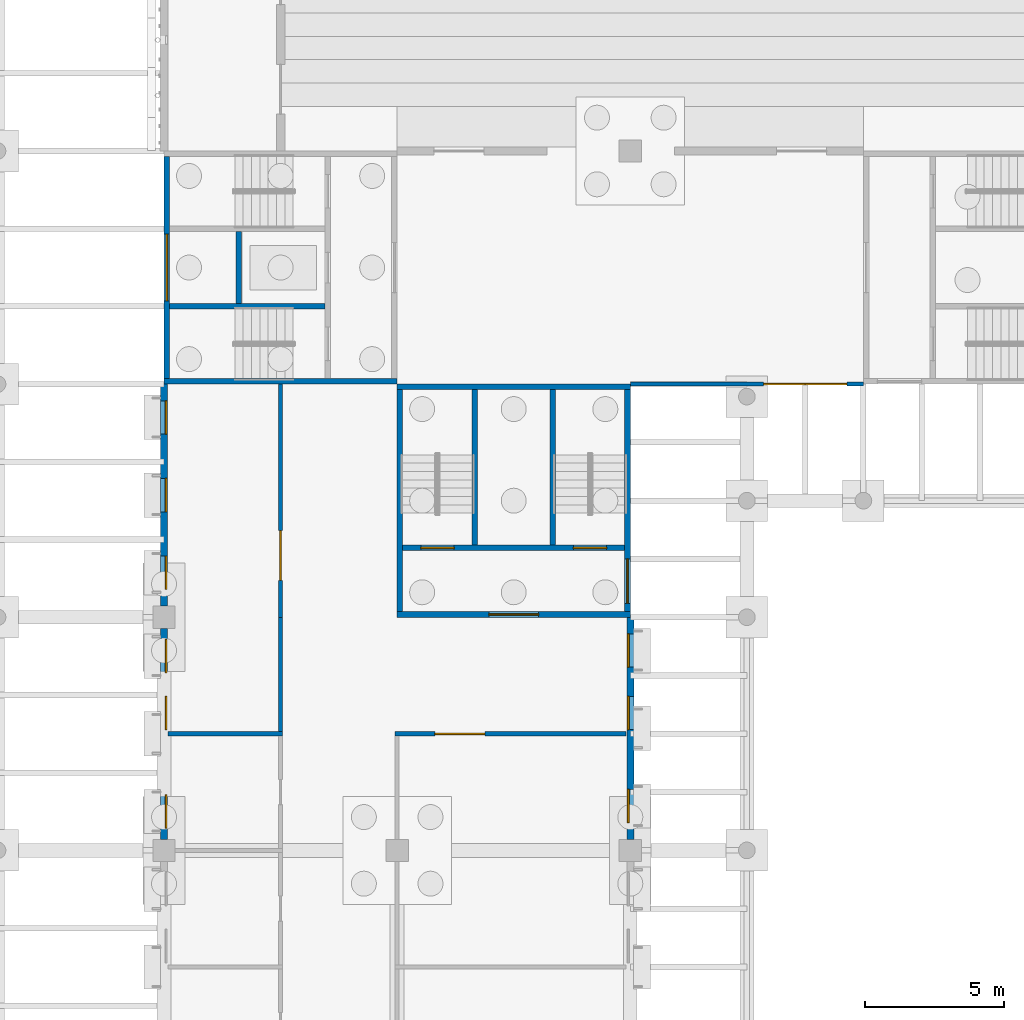
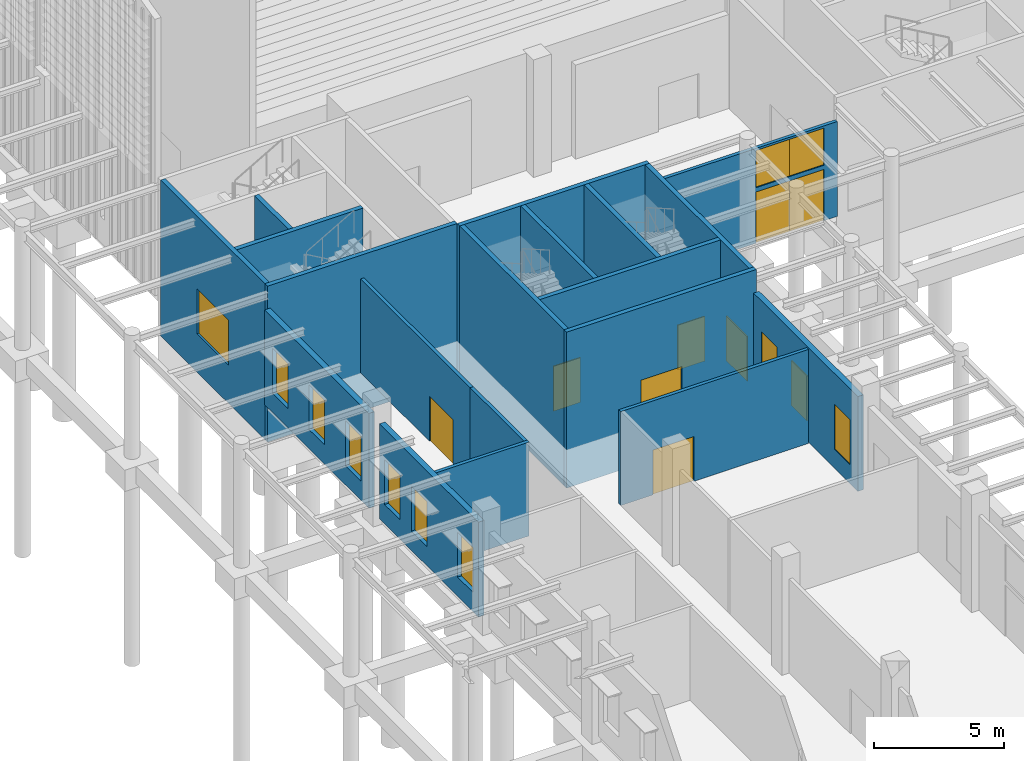
# One storey, part 32 of 82: 19 walls, 11 windows, 9 doors, 20 openings.
"""IFC4 building model written with IfcOpenShell, lengths in metres."""

from ifc_helpers import new_model, si_unit, direction, frame, frame_2d, origin, place, context, subcontext, project, spatial, rectangle, extrude, material, layer, layer_set, type_object, element, fill, save


model = new_model("IFC4")

# Units and contexts
model_context = context("Model", 3, precision=1e-05, world=origin(), true_north=direction((0.0, 1.0)))
body_context = subcontext(model_context, "Body", "Model", "MODEL_VIEW")
ifc_project = project(units=[si_unit("LENGTHUNIT", "METRE"), si_unit("AREAUNIT", "SQUARE_METRE"), si_unit("VOLUMEUNIT", "CUBIC_METRE"), si_unit("PLANEANGLEUNIT", "RADIAN"), si_unit("MASSUNIT", "GRAM", prefix="KILO")], contexts=[model_context])

# Site, building, storey
site_placement = place(None, origin())
site = spatial("IfcSite", under=ifc_project, at=site_placement, CompositionType="ELEMENT")
building_placement = place(site_placement, origin())
building = spatial("IfcBuilding", under=site, at=building_placement, Name="Almond Square Museum", CompositionType="ELEMENT")
storey_placement = place(building_placement, origin())
storey = spatial("IfcBuildingStorey", under=building, at=storey_placement, Name="L00", CompositionType="ELEMENT", Elevation=0.0)

# Wall, openings, windows, doors
ifc_material_1 = material(Name="Aluminium and laminated glass", Category="aluminium")
ifc_layer_1 = layer(ifc_material_1, 0.14990234375)
ifc_layer_set_1 = layer_set([ifc_layer_1], Name="Aluminium and laminated glass")
wall_type_1 = type_object("IfcWallType", Name="Glazed entrance screen 150", PredefinedType="ELEMENTEDWALL", material=ifc_layer_set_1)
wall_1_placement = place(storey_placement, frame((22.800048828125, 75.60009765625, 0.0), z_axis=(0.0, 0.0, 1.0), x_axis=(1.0, 0.0, 0.0)))
wall_1 = element("IfcWall", 1, at=wall_1_placement, inside=storey, type_object=wall_type_1, Name="External wall W6 V3 L00 S01", PredefinedType="ELEMENTEDWALL", context=body_context, shape_type="SweptSolid", body=[
    extrude(rectangle(XDim=8.39990234375, YDim=0.14990234375, at=frame_2d((4.199951171875, 0.0))), origin(), (0.0, 0.0, 1.0), 4.43994140625),
])
opening_1_placement = place(wall_1_placement, frame((4.800048828125, 0.0, 0.0)))
opening_1 = element("IfcOpeningElement", 2, at=opening_1_placement, cuts=wall_1, Name="Opening D006", PredefinedType="OPENING", context=body_context, shape_type="SweptSolid", body=[
    extrude(rectangle(XDim=1.5, YDim=2.39990234375, at=frame_2d((0.75, 1.199951171875))), frame((0.0, 0.0849609375, 0.0), z_axis=(0.0, -1.0, 0.0), x_axis=(1.0, 0.0, 0.0)), (0.0, 0.0, 1.0), 0.169921875),
])
opening_2_placement = place(wall_1_placement, frame((4.800048828125, 0.0, 2.60009765625)))
opening_2 = element("IfcOpeningElement", 3, at=opening_2_placement, cuts=wall_1, Name="Opening W0049", PredefinedType="OPENING", context=body_context, shape_type="SweptSolid", body=[
    extrude(rectangle(XDim=1.5, YDim=1.739990234375, at=frame_2d((0.75, 0.8701171875))), frame((0.0, 0.0849609375, 0.0), z_axis=(0.0, -1.0, 0.0), x_axis=(1.0, 0.0, 0.0)), (0.0, 0.0, 1.0), 0.169921875),
])
opening_3_placement = place(wall_1_placement, frame((6.300048828125, 0.0, 0.0)))
opening_3 = element("IfcOpeningElement", 4, at=opening_3_placement, cuts=wall_1, Name="Opening D007", PredefinedType="OPENING", context=body_context, shape_type="SweptSolid", body=[
    extrude(rectangle(XDim=1.5, YDim=2.39990234375, at=frame_2d((0.75, 1.199951171875))), frame((0.0, 0.0849609375, 0.0), z_axis=(0.0, -1.0, 0.0), x_axis=(1.0, 0.0, 0.0)), (0.0, 0.0, 1.0), 0.169921875),
])
opening_4_placement = place(wall_1_placement, frame((6.300048828125, 0.0, 2.60009765625)))
opening_4 = element("IfcOpeningElement", 5, at=opening_4_placement, cuts=wall_1, Name="Opening W0050", PredefinedType="OPENING", context=body_context, shape_type="SweptSolid", body=[
    extrude(rectangle(XDim=1.5, YDim=1.739990234375, at=frame_2d((0.75, 0.8701171875))), frame((0.0, 0.0849609375, 0.0), z_axis=(0.0, -1.0, 0.0), x_axis=(1.0, 0.0, 0.0)), (0.0, 0.0, 1.0), 0.169921875),
])
ifc_material_2 = material(Name="Aluminium frame and laminated glass", Category="aluminium")
window_type_1 = type_object("IfcWindowType", Name="Entrance fanlight 1500 1740 high", PartitioningType="SINGLE_PANEL", PredefinedType="WINDOW", material=ifc_material_2)
window_1_placement = place(opening_2_placement, origin())
window_1 = element("IfcWindow", 6, at=window_1_placement, inside=storey, type_object=window_type_1, Name="Entrance fanlight 1500 W0049", OverallHeight=1.739990234375, OverallWidth=1.5, PartitioningType="SINGLE_PANEL", PredefinedType="WINDOW", context=body_context, shape_type="SweptSolid", body=[
    extrude(rectangle(XDim=1.5, YDim=1.739990234375, at=frame_2d((0.75, 0.8701171875))), frame((0.0, 0.030029296875, 0.0), z_axis=(0.0, -1.0, 0.0), x_axis=(1.0, 0.0, 0.0)), (0.0, 0.0, 1.0), 0.06005859375),
])
fill(opening_2, window_1)
window_2_placement = place(opening_4_placement, origin())
window_2 = element("IfcWindow", 7, at=window_2_placement, inside=storey, type_object=window_type_1, Name="Entrance fanlight 1500 W0050", OverallHeight=1.739990234375, OverallWidth=1.5, PartitioningType="SINGLE_PANEL", PredefinedType="WINDOW", context=body_context, shape_type="SweptSolid", body=[
    extrude(rectangle(XDim=1.5, YDim=1.739990234375, at=frame_2d((0.75, 0.8701171875))), frame((0.0, 0.030029296875, 0.0), z_axis=(0.0, -1.0, 0.0), x_axis=(1.0, 0.0, 0.0)), (0.0, 0.0, 1.0), 0.06005859375),
])
fill(opening_4, window_2)
ifc_material_3 = material(Name="Aluminium frame and laminated glass", Category="aluminium")
door_type_1 = type_object("IfcDoorType", Name="Glazed entrance door pair 1500 x 2400", OperationType="NOTDEFINED", PredefinedType="DOOR", material=ifc_material_3)
door_1_placement = place(opening_1_placement, origin())
door_1 = element("IfcDoor", 8, at=door_1_placement, inside=storey, type_object=door_type_1, Name="Auditorium Entrance door D006", OperationType="DOUBLE_DOOR_SINGLE_SWING", OverallHeight=2.39990234375, OverallWidth=1.5, PredefinedType="DOOR", context=body_context, shape_type="SweptSolid", body=[
    extrude(rectangle(XDim=1.5, YDim=2.39990234375, at=frame_2d((0.75, 1.199951171875))), frame((0.0, 0.02490234375, 0.0), z_axis=(0.0, -1.0, 0.0), x_axis=(1.0, 0.0, 0.0)), (0.0, 0.0, 1.0), 0.050048828125),
])
fill(opening_1, door_1)
door_2_placement = place(opening_3_placement, origin())
door_2 = element("IfcDoor", 9, at=door_2_placement, inside=storey, type_object=door_type_1, Name="Auditorium Entrance door D007", OperationType="DOUBLE_DOOR_SINGLE_SWING", OverallHeight=2.39990234375, OverallWidth=1.5, PredefinedType="DOOR", context=body_context, shape_type="SweptSolid", body=[
    extrude(rectangle(XDim=1.5, YDim=2.39990234375, at=frame_2d((0.75, 1.199951171875))), frame((0.0, 0.02490234375, 0.0), z_axis=(0.0, -1.0, 0.0), x_axis=(1.0, 0.0, 0.0)), (0.0, 0.0, 1.0), 0.050048828125),
])
fill(opening_3, door_2)

# Walls
ifc_material_4 = material(Name="Plasterboard on steel stud", Category="steel")
ifc_layer_2 = layer(ifc_material_4, 0.14990234375)
ifc_layer_set_2 = layer_set([ifc_layer_2], Name="Plasterboard on steel stud")
wall_type_2 = type_object("IfcWallType", Name="Partition 150 plasterboard on steel stud", PredefinedType="PARTITIONING", material=ifc_layer_set_2)
for number, where, z_axis, x_axis, name in (
    (10, (6.14990234375, 63.0, 0.0), (0.0, 0.0, 1.0), (1.0, 0.0, 0.0), "L00 partition 38"),
    (11, (10.199951171875, 63.074951171875, 0.0), (0.0, 0.0, 1.0), (0.0, 1.0, 0.0), "L00 partition 39"),
):
    element("IfcWall", number, at=place(storey_placement, frame(where, z_axis=z_axis, x_axis=x_axis)), inside=storey, type_object=wall_type_2, Name=name, PredefinedType="PARTITIONING", context=body_context, shape_type="SweptSolid", body=[
        extrude(rectangle(XDim=4.125, YDim=0.14990234375, at=frame_2d((2.0625, 0.0))), origin(), (0.0, 0.0, 1.0), 4.39990234375),
    ])

# Wall, opening, door
wall_2_placement = place(storey_placement, frame((10.199951171875, 67.199951171875, 0.0), z_axis=(0.0, 0.0, 1.0), x_axis=(0.0, 1.0, 0.0)))
wall_2 = element("IfcWall", 12, at=wall_2_placement, inside=storey, type_object=wall_type_2, Name="L00 partition 40", PredefinedType="PARTITIONING", context=body_context, shape_type="SweptSolid", body=[
    extrude(rectangle(XDim=8.400146484375, YDim=0.14990234375, at=frame_2d((4.2001953125, 0.0))), origin(), (0.0, 0.0, 1.0), 4.39990234375),
])
opening_5_placement = place(wall_2_placement, frame((1.324951171875, 0.0, 0.0)))
opening_5 = element("IfcOpeningElement", 13, at=opening_5_placement, cuts=wall_2, Name="Opening D0111", PredefinedType="OPENING", context=body_context, shape_type="SweptSolid", body=[
    extrude(rectangle(XDim=1.800048828125, YDim=2.10009765625, at=frame_2d((0.89990234375, 1.050048828125))), frame((0.0, 0.0849609375, 0.0), z_axis=(0.0, -1.0, 0.0), x_axis=(1.0, 0.0, 0.0)), (0.0, 0.0, 1.0), 0.169921875),
])
ifc_material_5 = material(Name="Timber", Category="wood")
door_type_2 = type_object("IfcDoorType", Name="Door 1800 x 2100 timber double", OperationType="NOTDEFINED", PredefinedType="DOOR", material=ifc_material_5)
door_3_placement = place(opening_5_placement, origin())
door_3 = element("IfcDoor", 14, at=door_3_placement, inside=storey, type_object=door_type_2, Name="L00 door Learning Cloakroom to Wing Corridor", OperationType="DOUBLE_DOOR_SINGLE_SWING", OverallHeight=2.10009765625, OverallWidth=1.800048828125, PredefinedType="DOOR", context=body_context, shape_type="SweptSolid", body=[
    extrude(rectangle(XDim=1.800048828125, YDim=2.10009765625, at=frame_2d((0.89990234375, 1.050048828125))), frame((0.0, 0.02490234375, 0.0), z_axis=(0.0, -1.0, 0.0), x_axis=(1.0, 0.0, 0.0)), (0.0, 0.0, 1.0), 0.050048828125),
])
fill(opening_5, door_3)

wall_3_placement = place(storey_placement, frame((14.324951171875, 63.0, 0.0), z_axis=(0.0, 0.0, 1.0), x_axis=(1.0, 0.0, 0.0)))
wall_3 = element("IfcWall", 15, at=wall_3_placement, inside=storey, type_object=wall_type_2, Name="L00 partition 45", PredefinedType="PARTITIONING", context=body_context, shape_type="SweptSolid", body=[
    extrude(rectangle(XDim=8.324951171875, YDim=0.14990234375, at=frame_2d((4.16259765625, 0.0))), origin(), (0.0, 0.0, 1.0), 4.39990234375),
])
opening_6_placement = place(wall_3_placement, frame((1.4375, 0.0, 0.0)))
opening_6 = element("IfcOpeningElement", 16, at=opening_6_placement, cuts=wall_3, Name="Opening D0114", PredefinedType="OPENING", context=body_context, shape_type="SweptSolid", body=[
    extrude(rectangle(XDim=1.800048828125, YDim=2.10009765625, at=frame_2d((0.89990234375, 1.050048828125))), frame((0.0, 0.0849609375, 0.0), z_axis=(0.0, -1.0, 0.0), x_axis=(1.0, 0.0, 0.0)), (0.0, 0.0, 1.0), 0.169921875),
])
door_4_placement = place(opening_6_placement, origin())
door_4 = element("IfcDoor", 17, at=door_4_placement, inside=storey, type_object=door_type_2, Name="L00 door Learning Studio 1 to Wing Corridor", OperationType="DOUBLE_DOOR_SINGLE_SWING", OverallHeight=2.10009765625, OverallWidth=1.800048828125, PredefinedType="DOOR", context=body_context, shape_type="SweptSolid", body=[
    extrude(rectangle(XDim=1.800048828125, YDim=2.10009765625, at=frame_2d((0.89990234375, 1.050048828125))), frame((0.0, 0.02490234375, 0.0), z_axis=(0.0, -1.0, 0.0), x_axis=(1.0, 0.0, 0.0)), (0.0, 0.0, 1.0), 0.050048828125),
])
fill(opening_6, door_4)

# Wall, openings, windows
ifc_material_6 = material(Name="Precast concrete C40/50", Category="concrete")
ifc_layer_3 = layer(ifc_material_6, 0.25)
ifc_layer_set_3 = layer_set([ifc_layer_3], Name="Precast concrete C40/50")
wall_type_3 = type_object("IfcWallType", Name="Precast concrete panel wall 250 with coral limestone piers", PredefinedType="SOLIDWALL", material=ifc_layer_set_3)
wall_4_placement = place(storey_placement, frame((22.800048828125, 59.199951171875, 0.0), z_axis=(0.0, 0.0, 1.0), x_axis=(0.0, 1.0, 0.0)))
wall_4 = element("IfcWall", 18, at=wall_4_placement, inside=storey, type_object=wall_type_3, Name="External wall W2 V4W L00 E05", PredefinedType="SOLIDWALL", context=body_context, shape_type="SweptSolid", body=[
    extrude(rectangle(XDim=8.0, YDim=0.25, at=frame_2d((4.0, 0.0))), origin(), (0.0, 0.0, 1.0), 4.43994140625),
])
opening_7_placement = place(wall_4_placement, frame((0.60009765625, 0.0, 0.89990234375)))
opening_7 = element("IfcOpeningElement", 19, at=opening_7_placement, cuts=wall_4, Name="Opening W0046", PredefinedType="OPENING", context=body_context, shape_type="SweptSolid", body=[
    extrude(rectangle(XDim=1.199951171875, YDim=2.10009765625, at=frame_2d((0.60009765625, 1.050048828125))), frame((0.0, 0.135009765625, 0.0), z_axis=(0.0, -1.0, 0.0), x_axis=(1.0, 0.0, 0.0)), (0.0, 0.0, 1.0), 0.27001953125),
])
opening_8_placement = place(wall_4_placement, frame((3.949951171875, 0.0, 0.89990234375)))
opening_8 = element("IfcOpeningElement", 20, at=opening_8_placement, cuts=wall_4, Name="Opening W0047", PredefinedType="OPENING", context=body_context, shape_type="SweptSolid", body=[
    extrude(rectangle(XDim=1.199951171875, YDim=2.10009765625, at=frame_2d((0.60009765625, 1.050048828125))), frame((0.0, 0.135009765625, 0.0), z_axis=(0.0, -1.0, 0.0), x_axis=(1.0, 0.0, 0.0)), (0.0, 0.0, 1.0), 0.27001953125),
])
opening_9_placement = place(wall_4_placement, frame((6.199951171875, 0.0, 0.89990234375)))
opening_9 = element("IfcOpeningElement", 21, at=opening_9_placement, cuts=wall_4, Name="Opening W0048", PredefinedType="OPENING", context=body_context, shape_type="SweptSolid", body=[
    extrude(rectangle(XDim=1.199951171875, YDim=2.10009765625, at=frame_2d((0.60009765625, 1.050048828125))), frame((0.0, 0.135009765625, 0.0), z_axis=(0.0, -1.0, 0.0), x_axis=(1.0, 0.0, 0.0)), (0.0, 0.0, 1.0), 0.27001953125),
])
ifc_material_7 = material(Name="Anodised aluminium louvre and laminated glass", Category="aluminium")
window_type_2 = type_object("IfcWindowType", Name="Louvred pier window", PartitioningType="SINGLE_PANEL", PredefinedType="WINDOW", material=ifc_material_7)
window_3_placement = place(opening_7_placement, origin())
window_3 = element("IfcWindow", 22, at=window_3_placement, inside=storey, type_object=window_type_2, Name="Louvred pier window W0046", OverallHeight=2.10009765625, OverallWidth=1.199951171875, PartitioningType="SINGLE_PANEL", PredefinedType="WINDOW", context=body_context, shape_type="SweptSolid", body=[
    extrude(rectangle(XDim=1.199951171875, YDim=2.10009765625, at=frame_2d((0.60009765625, 1.050048828125))), frame((0.0, 0.10498046875, 0.0), z_axis=(0.0, -1.0, 0.0), x_axis=(1.0, 0.0, 0.0)), (0.0, 0.0, 1.0), 0.06005859375),
])
fill(opening_7, window_3)
window_4_placement = place(opening_8_placement, origin())
window_4 = element("IfcWindow", 23, at=window_4_placement, inside=storey, type_object=window_type_2, Name="Louvred pier window W0047", OverallHeight=2.10009765625, OverallWidth=1.199951171875, PartitioningType="SINGLE_PANEL", PredefinedType="WINDOW", context=body_context, shape_type="SweptSolid", body=[
    extrude(rectangle(XDim=1.199951171875, YDim=2.10009765625, at=frame_2d((0.60009765625, 1.050048828125))), frame((0.0, 0.10498046875, 0.0), z_axis=(0.0, -1.0, 0.0), x_axis=(1.0, 0.0, 0.0)), (0.0, 0.0, 1.0), 0.06005859375),
])
fill(opening_8, window_4)
window_5_placement = place(opening_9_placement, origin())
window_5 = element("IfcWindow", 24, at=window_5_placement, inside=storey, type_object=window_type_2, Name="Louvred pier window W0048", OverallHeight=2.10009765625, OverallWidth=1.199951171875, PartitioningType="SINGLE_PANEL", PredefinedType="WINDOW", context=body_context, shape_type="SweptSolid", body=[
    extrude(rectangle(XDim=1.199951171875, YDim=2.10009765625, at=frame_2d((0.60009765625, 1.050048828125))), frame((0.0, 0.10498046875, 0.0), z_axis=(0.0, -1.0, 0.0), x_axis=(1.0, 0.0, 0.0)), (0.0, 0.0, 1.0), 0.06005859375),
])
fill(opening_9, window_5)

wall_5_placement = place(storey_placement, frame((6.0, 67.60009765625, 0.0), z_axis=(0.0, 0.0, 1.0), x_axis=(0.0, 1.0, 0.0)))
wall_5 = element("IfcWall", 25, at=wall_5_placement, inside=storey, type_object=wall_type_3, Name="External wall W2 V4W L00 W01", PredefinedType="SOLIDWALL", context=body_context, shape_type="SweptSolid", body=[
    extrude(rectangle(XDim=8.0, YDim=0.25, at=frame_2d((4.0, 0.0))), origin(), (0.0, 0.0, 1.0), 4.43994140625),
])
opening_10_placement = place(wall_5_placement, frame((0.60009765625, 0.0, 0.89990234375)))
opening_10 = element("IfcOpeningElement", 26, at=opening_10_placement, cuts=wall_5, Name="Opening W0122", PredefinedType="OPENING", context=body_context, shape_type="SweptSolid", body=[
    extrude(rectangle(XDim=1.199951171875, YDim=2.10009765625, at=frame_2d((0.60009765625, 1.050048828125))), frame((0.0, 0.135009765625, 0.0), z_axis=(0.0, -1.0, 0.0), x_axis=(1.0, 0.0, 0.0)), (0.0, 0.0, 1.0), 0.27001953125),
])
opening_11_placement = place(wall_5_placement, frame((3.39990234375, 0.0, 0.89990234375)))
opening_11 = element("IfcOpeningElement", 27, at=opening_11_placement, cuts=wall_5, Name="Opening W0123", PredefinedType="OPENING", context=body_context, shape_type="SweptSolid", body=[
    extrude(rectangle(XDim=1.199951171875, YDim=2.10009765625, at=frame_2d((0.60009765625, 1.050048828125))), frame((0.0, 0.135009765625, 0.0), z_axis=(0.0, -1.0, 0.0), x_axis=(1.0, 0.0, 0.0)), (0.0, 0.0, 1.0), 0.27001953125),
])
opening_12_placement = place(wall_5_placement, frame((6.199951171875, 0.0, 0.89990234375)))
opening_12 = element("IfcOpeningElement", 28, at=opening_12_placement, cuts=wall_5, Name="Opening W0124", PredefinedType="OPENING", context=body_context, shape_type="SweptSolid", body=[
    extrude(rectangle(XDim=1.199951171875, YDim=2.10009765625, at=frame_2d((0.60009765625, 1.050048828125))), frame((0.0, 0.135009765625, 0.0), z_axis=(0.0, -1.0, 0.0), x_axis=(1.0, 0.0, 0.0)), (0.0, 0.0, 1.0), 0.27001953125),
])
window_6_placement = place(opening_10_placement, origin())
window_6 = element("IfcWindow", 29, at=window_6_placement, inside=storey, type_object=window_type_2, Name="Louvred pier window W0122", OverallHeight=2.10009765625, OverallWidth=1.199951171875, PartitioningType="SINGLE_PANEL", PredefinedType="WINDOW", context=body_context, shape_type="SweptSolid", body=[
    extrude(rectangle(XDim=1.199951171875, YDim=2.10009765625, at=frame_2d((0.60009765625, 1.050048828125))), frame((0.0, -0.044921875, 0.0), z_axis=(0.0, -1.0, 0.0), x_axis=(1.0, 0.0, 0.0)), (0.0, 0.0, 1.0), 0.06005859375),
])
fill(opening_10, window_6)
window_7_placement = place(opening_11_placement, origin())
window_7 = element("IfcWindow", 30, at=window_7_placement, inside=storey, type_object=window_type_2, Name="Louvred pier window W0123", OverallHeight=2.10009765625, OverallWidth=1.199951171875, PartitioningType="SINGLE_PANEL", PredefinedType="WINDOW", context=body_context, shape_type="SweptSolid", body=[
    extrude(rectangle(XDim=1.199951171875, YDim=2.10009765625, at=frame_2d((0.60009765625, 1.050048828125))), frame((0.0, -0.044921875, 0.0), z_axis=(0.0, -1.0, 0.0), x_axis=(1.0, 0.0, 0.0)), (0.0, 0.0, 1.0), 0.06005859375),
])
fill(opening_11, window_7)
window_8_placement = place(opening_12_placement, origin())
window_8 = element("IfcWindow", 31, at=window_8_placement, inside=storey, type_object=window_type_2, Name="Louvred pier window W0124", OverallHeight=2.10009765625, OverallWidth=1.199951171875, PartitioningType="SINGLE_PANEL", PredefinedType="WINDOW", context=body_context, shape_type="SweptSolid", body=[
    extrude(rectangle(XDim=1.199951171875, YDim=2.10009765625, at=frame_2d((0.60009765625, 1.050048828125))), frame((0.0, -0.044921875, 0.0), z_axis=(0.0, -1.0, 0.0), x_axis=(1.0, 0.0, 0.0)), (0.0, 0.0, 1.0), 0.06005859375),
])
fill(opening_12, window_8)

wall_6_placement = place(storey_placement, frame((6.0, 59.199951171875, 0.0), z_axis=(0.0, 0.0, 1.0), x_axis=(0.0, 1.0, 0.0)))
wall_6 = element("IfcWall", 32, at=wall_6_placement, inside=storey, type_object=wall_type_3, Name="External wall W2 V4W L00 W02", PredefinedType="SOLIDWALL", context=body_context, shape_type="SweptSolid", body=[
    extrude(rectangle(XDim=7.60009765625, YDim=0.25, at=frame_2d((3.800048828125, 0.0))), origin(), (0.0, 0.0, 1.0), 4.43994140625),
])
opening_13_placement = place(wall_6_placement, frame((0.39990234375, 0.0, 0.89990234375)))
opening_13 = element("IfcOpeningElement", 33, at=opening_13_placement, cuts=wall_6, Name="Opening W0125", PredefinedType="OPENING", context=body_context, shape_type="SweptSolid", body=[
    extrude(rectangle(XDim=1.199951171875, YDim=2.10009765625, at=frame_2d((0.60009765625, 1.050048828125))), frame((0.0, 0.135009765625, 0.0), z_axis=(0.0, -1.0, 0.0), x_axis=(1.0, 0.0, 0.0)), (0.0, 0.0, 1.0), 0.27001953125),
])
opening_14_placement = place(wall_6_placement, frame((3.949951171875, 0.0, 0.89990234375)))
opening_14 = element("IfcOpeningElement", 34, at=opening_14_placement, cuts=wall_6, Name="Opening W0126", PredefinedType="OPENING", context=body_context, shape_type="SweptSolid", body=[
    extrude(rectangle(XDim=1.199951171875, YDim=2.10009765625, at=frame_2d((0.60009765625, 1.050048828125))), frame((0.0, 0.135009765625, 0.0), z_axis=(0.0, -1.0, 0.0), x_axis=(1.0, 0.0, 0.0)), (0.0, 0.0, 1.0), 0.27001953125),
])
opening_15_placement = place(wall_6_placement, frame((6.0, 0.0, 0.89990234375)))
opening_15 = element("IfcOpeningElement", 35, at=opening_15_placement, cuts=wall_6, Name="Opening W0127", PredefinedType="OPENING", context=body_context, shape_type="SweptSolid", body=[
    extrude(rectangle(XDim=1.199951171875, YDim=2.10009765625, at=frame_2d((0.60009765625, 1.050048828125))), frame((0.0, 0.135009765625, 0.0), z_axis=(0.0, -1.0, 0.0), x_axis=(1.0, 0.0, 0.0)), (0.0, 0.0, 1.0), 0.27001953125),
])
window_9_placement = place(opening_13_placement, origin())
window_9 = element("IfcWindow", 36, at=window_9_placement, inside=storey, type_object=window_type_2, Name="Louvred pier window W0125", OverallHeight=2.10009765625, OverallWidth=1.199951171875, PartitioningType="SINGLE_PANEL", PredefinedType="WINDOW", context=body_context, shape_type="SweptSolid", body=[
    extrude(rectangle(XDim=1.199951171875, YDim=2.10009765625, at=frame_2d((0.60009765625, 1.050048828125))), frame((0.0, -0.044921875, 0.0), z_axis=(0.0, -1.0, 0.0), x_axis=(1.0, 0.0, 0.0)), (0.0, 0.0, 1.0), 0.06005859375),
])
fill(opening_13, window_9)
window_10_placement = place(opening_14_placement, origin())
window_10 = element("IfcWindow", 37, at=window_10_placement, inside=storey, type_object=window_type_2, Name="Louvred pier window W0126", OverallHeight=2.10009765625, OverallWidth=1.199951171875, PartitioningType="SINGLE_PANEL", PredefinedType="WINDOW", context=body_context, shape_type="SweptSolid", body=[
    extrude(rectangle(XDim=1.199951171875, YDim=2.10009765625, at=frame_2d((0.60009765625, 1.050048828125))), frame((0.0, -0.044921875, 0.0), z_axis=(0.0, -1.0, 0.0), x_axis=(1.0, 0.0, 0.0)), (0.0, 0.0, 1.0), 0.06005859375),
])
fill(opening_14, window_10)
window_11_placement = place(opening_15_placement, origin())
window_11 = element("IfcWindow", 38, at=window_11_placement, inside=storey, type_object=window_type_2, Name="Louvred pier window W0127", OverallHeight=2.10009765625, OverallWidth=1.199951171875, PartitioningType="SINGLE_PANEL", PredefinedType="WINDOW", context=body_context, shape_type="SweptSolid", body=[
    extrude(rectangle(XDim=1.199951171875, YDim=2.10009765625, at=frame_2d((0.60009765625, 1.050048828125))), frame((0.0, -0.044921875, 0.0), z_axis=(0.0, -1.0, 0.0), x_axis=(1.0, 0.0, 0.0)), (0.0, 0.0, 1.0), 0.06005859375),
])
fill(opening_15, window_11)

# Wall
ifc_material_8 = material(Name="Concrete C40/50", Category="concrete")
ifc_layer_4 = layer(ifc_material_8, 0.199951171875)
ifc_layer_set_4 = layer_set([ifc_layer_4], Name="Concrete C40/50")
wall_type_4 = type_object("IfcWallType", Name="RC shear wall 200 C40/50", PredefinedType="SHEAR", material=ifc_layer_set_4)
wall_7_placement = place(storey_placement, frame((6.0, 75.699951171875, -1.800048828125), z_axis=(0.0, 0.0, 1.0), x_axis=(1.0, 0.0, 0.0)))
element("IfcWall", 39, at=wall_7_placement, inside=storey, type_object=wall_type_4, Name="Core U1 south wall L00", PredefinedType="SHEAR", context=body_context, shape_type="SweptSolid", body=[
    extrude(rectangle(XDim=8.39990234375, YDim=0.199951171875, at=frame_2d((4.199951171875, 0.0))), origin(), (0.0, 0.0, 1.0), 7.300048828125),
])

# Wall, opening, door
wall_8_placement = place(storey_placement, frame((6.10009765625, 75.800048828125, -1.800048828125), z_axis=(0.0, 0.0, 1.0), x_axis=(0.0, 1.0, 0.0)))
wall_8 = element("IfcWall", 40, at=wall_8_placement, inside=storey, type_object=wall_type_4, Name="Core U1 west wall L00", PredefinedType="SHEAR", context=body_context, shape_type="SweptSolid", body=[
    extrude(rectangle(XDim=8.0, YDim=0.199951171875, at=frame_2d((4.0, 0.0))), origin(), (0.0, 0.0, 1.0), 7.300048828125),
])
opening_16_placement = place(wall_8_placement, frame((2.80126953125, 0.0, 1.800048828125)))
opening_16 = element("IfcOpeningElement", 41, at=opening_16_placement, cuts=wall_8, Name="Opening D024", PredefinedType="OPENING", context=body_context, shape_type="SweptSolid", body=[
    extrude(rectangle(XDim=2.39990234375, YDim=2.10009765625, at=frame_2d((1.199951171875, 1.050048828125))), frame((0.0, 0.10986328125, 0.0), z_axis=(0.0, -1.0, 0.0), x_axis=(1.0, 0.0, 0.0)), (0.0, 0.0, 1.0), 0.219970703125),
])
ifc_material_9 = material(Name="Steel frame and steel leaf", Category="steel")
door_type_3 = type_object("IfcDoorType", Name="Stair exit door pair 2400 x 2100", OperationType="NOTDEFINED", PredefinedType="DOOR", material=ifc_material_9)
door_5_placement = place(opening_16_placement, origin())
door_5 = element("IfcDoor", 42, at=door_5_placement, inside=storey, type_object=door_type_3, Name="Stair Exit U1 door D024", OperationType="DOUBLE_DOOR_SINGLE_SWING", OverallHeight=2.10009765625, OverallWidth=2.39990234375, PredefinedType="DOOR", context=body_context, shape_type="SweptSolid", body=[
    extrude(rectangle(XDim=2.39990234375, YDim=2.10009765625, at=frame_2d((1.199951171875, 1.050048828125))), frame((0.0, 0.02490234375, 0.0), z_axis=(0.0, -1.0, 0.0), x_axis=(1.0, 0.0, 0.0)), (0.0, 0.0, 1.0), 0.050048828125),
])
fill(opening_16, door_5)

# Walls
wall_9_placement = place(storey_placement, frame((6.199951171875, 78.39990234375, -1.800048828125), z_axis=(0.0, 0.0, 1.0), x_axis=(1.0, 0.0, 0.0)))
element("IfcWall", 43, at=wall_9_placement, inside=storey, type_object=wall_type_4, Name="Core U1 partition wall L00", PredefinedType="SHEAR", context=body_context, shape_type="SweptSolid", body=[
    extrude(rectangle(XDim=5.60009765625, YDim=0.199951171875, at=frame_2d((2.800048828125, 0.0))), origin(), (0.0, 0.0, 1.0), 7.300048828125),
])
wall_10_placement = place(storey_placement, frame((8.699951171875, 78.5, -1.800048828125), z_axis=(0.0, 0.0, 1.0), x_axis=(0.0, 1.0, 0.0)))
element("IfcWall", 44, at=wall_10_placement, inside=storey, type_object=wall_type_4, Name="Core U1 partition wall L00", PredefinedType="SHEAR", context=body_context, shape_type="SweptSolid", body=[
    extrude(rectangle(XDim=2.60009765625, YDim=0.199951171875, at=frame_2d((1.300048828125, 0.0))), origin(), (0.0, 0.0, 1.0), 7.300048828125),
])

# Wall, opening, door
wall_11_placement = place(storey_placement, frame((14.39990234375, 67.300048828125, -1.800048828125), z_axis=(0.0, 0.0, 1.0), x_axis=(1.0, 0.0, 0.0)))
wall_11 = element("IfcWall", 45, at=wall_11_placement, inside=storey, type_object=wall_type_4, Name="Core W2 south wall L00", PredefinedType="SHEAR", context=body_context, shape_type="SweptSolid", body=[
    extrude(rectangle(XDim=8.400146484375, YDim=0.199951171875, at=frame_2d((4.2001953125, 0.0))), origin(), (0.0, 0.0, 1.0), 7.300048828125),
])
opening_17_placement = place(wall_11_placement, frame((3.300048828125, 0.0, 1.800048828125)))
opening_17 = element("IfcOpeningElement", 46, at=opening_17_placement, cuts=wall_11, Name="Opening D0196", PredefinedType="OPENING", context=body_context, shape_type="SweptSolid", body=[
    extrude(rectangle(XDim=1.800048828125, YDim=2.10009765625, at=frame_2d((0.89990234375, 1.050048828125))), frame((0.0, 0.10986328125, 0.0), z_axis=(0.0, -1.0, 0.0), x_axis=(1.0, 0.0, 0.0)), (0.0, 0.0, 1.0), 0.219970703125),
])
ifc_material_10 = material(Name="Steel", Category="steel")
door_type_4 = type_object("IfcDoorType", Name="Fire door 1800 x 2100 FD60 double", OperationType="NOTDEFINED", PredefinedType="DOOR", material=ifc_material_10)
door_6_placement = place(opening_17_placement, origin())
door_6 = element("IfcDoor", 47, at=door_6_placement, inside=storey, type_object=door_type_4, Name="L00 stair core W2 lobby door", OperationType="DOUBLE_DOOR_SINGLE_SWING", OverallHeight=2.10009765625, OverallWidth=1.800048828125, PredefinedType="DOOR", context=body_context, shape_type="SweptSolid", body=[
    extrude(rectangle(XDim=1.800048828125, YDim=2.10009765625, at=frame_2d((0.89990234375, 1.050048828125))), frame((0.0, 0.02490234375, 0.0), z_axis=(0.0, -1.0, 0.0), x_axis=(1.0, 0.0, 0.0)), (0.0, 0.0, 1.0), 0.050048828125),
])
fill(opening_17, door_6)

# Walls
wall_12_placement = place(storey_placement, frame((14.39990234375, 75.5, -1.800048828125), z_axis=(0.0, 0.0, 1.0), x_axis=(1.0, 0.0, 0.0)))
element("IfcWall", 48, at=wall_12_placement, inside=storey, type_object=wall_type_4, Name="Core W2 north wall L00", PredefinedType="SHEAR", context=body_context, shape_type="SweptSolid", body=[
    extrude(rectangle(XDim=8.400146484375, YDim=0.199951171875, at=frame_2d((4.2001953125, 0.0))), origin(), (0.0, 0.0, 1.0), 7.300048828125),
])
wall_13_placement = place(storey_placement, frame((14.5, 67.39990234375, -1.800048828125), z_axis=(0.0, 0.0, 1.0), x_axis=(0.0, 1.0, 0.0)))
element("IfcWall", 49, at=wall_13_placement, inside=storey, type_object=wall_type_4, Name="Core W2 west wall L00", PredefinedType="SHEAR", context=body_context, shape_type="SweptSolid", body=[
    extrude(rectangle(XDim=8.0, YDim=0.199951171875, at=frame_2d((4.0, 0.0))), origin(), (0.0, 0.0, 1.0), 7.300048828125),
])

# Wall, opening, door
wall_14_placement = place(storey_placement, frame((22.699951171875, 75.39990234375, -1.800048828125), z_axis=(0.0, 0.0, 1.0), x_axis=(0.0, -1.0, 0.0)))
wall_14 = element("IfcWall", 50, at=wall_14_placement, inside=storey, type_object=wall_type_4, Name="Core W2 east wall L00", PredefinedType="SHEAR", context=body_context, shape_type="SweptSolid", body=[
    extrude(rectangle(XDim=8.0, YDim=0.199951171875, at=frame_2d((4.0, 0.0))), origin(), (0.0, 0.0, 1.0), 7.300048828125),
])
opening_18_placement = place(wall_14_placement, frame((6.10009765625, 0.0, 1.800048828125)))
opening_18 = element("IfcOpeningElement", 51, at=opening_18_placement, cuts=wall_14, Name="Opening D029", PredefinedType="OPENING", context=body_context, shape_type="SweptSolid", body=[
    extrude(rectangle(XDim=1.60009765625, YDim=2.10009765625, at=frame_2d((0.800048828125, 1.050048828125))), frame((0.0, 0.10986328125, 0.0), z_axis=(0.0, -1.0, 0.0), x_axis=(1.0, 0.0, 0.0)), (0.0, 0.0, 1.0), 0.219970703125),
])
ifc_material_11 = material(Name="Steel frame and steel leaf", Category="steel")
door_type_5 = type_object("IfcDoorType", Name="Stair exit door pair 1600 x 2100", OperationType="NOTDEFINED", PredefinedType="DOOR", material=ifc_material_11)
door_7_placement = place(opening_18_placement, origin())
door_7 = element("IfcDoor", 52, at=door_7_placement, inside=storey, type_object=door_type_5, Name="Stair Exit W2 door D029", OperationType="DOUBLE_DOOR_SINGLE_SWING", OverallHeight=2.10009765625, OverallWidth=1.60009765625, PredefinedType="DOOR", context=body_context, shape_type="SweptSolid", body=[
    extrude(rectangle(XDim=1.60009765625, YDim=2.10009765625, at=frame_2d((0.800048828125, 1.050048828125))), frame((0.0, 0.02490234375, 0.0), z_axis=(0.0, -1.0, 0.0), x_axis=(1.0, 0.0, 0.0)), (0.0, 0.0, 1.0), 0.050048828125),
])
fill(opening_18, door_7)

# Wall, openings, doors
wall_15_placement = place(storey_placement, frame((14.60009765625, 69.699951171875, -1.800048828125), z_axis=(0.0, 0.0, 1.0), x_axis=(1.0, 0.0, 0.0)))
wall_15 = element("IfcWall", 53, at=wall_15_placement, inside=storey, type_object=wall_type_4, Name="Core W2 lobby wall L00", PredefinedType="SHEAR", context=body_context, shape_type="SweptSolid", body=[
    extrude(rectangle(XDim=8.0, YDim=0.199951171875, at=frame_2d((4.0, 0.0))), origin(), (0.0, 0.0, 1.0), 7.300048828125),
])
opening_19_placement = place(wall_15_placement, frame((0.64990234375, 0.0, 1.800048828125)))
opening_19 = element("IfcOpeningElement", 54, at=opening_19_placement, cuts=wall_15, Name="Opening D0197", PredefinedType="OPENING", context=body_context, shape_type="SweptSolid", body=[
    extrude(rectangle(XDim=1.199951171875, YDim=2.10009765625, at=frame_2d((0.60009765625, 1.050048828125))), frame((0.0, 0.10986328125, 0.0), z_axis=(0.0, -1.0, 0.0), x_axis=(1.0, 0.0, 0.0)), (0.0, 0.0, 1.0), 0.219970703125),
])
opening_20_placement = place(wall_15_placement, frame((6.14990234375, 0.0, 1.800048828125)))
opening_20 = element("IfcOpeningElement", 55, at=opening_20_placement, cuts=wall_15, Name="Opening D0198", PredefinedType="OPENING", context=body_context, shape_type="SweptSolid", body=[
    extrude(rectangle(XDim=1.199951171875, YDim=2.10009765625, at=frame_2d((0.60009765625, 1.050048828125))), frame((0.0, 0.10986328125, 0.0), z_axis=(0.0, -1.0, 0.0), x_axis=(1.0, 0.0, 0.0)), (0.0, 0.0, 1.0), 0.219970703125),
])
ifc_material_12 = material(Name="Steel", Category="steel")
door_type_6 = type_object("IfcDoorType", Name="Fire door 1200 x 2100 FD120 stair", OperationType="NOTDEFINED", PredefinedType="DOOR", material=ifc_material_12)
door_8_placement = place(opening_19_placement, origin())
door_8 = element("IfcDoor", 56, at=door_8_placement, inside=storey, type_object=door_type_6, Name="L00 stair W2-1 door", OperationType="SINGLE_SWING_LEFT", OverallHeight=2.10009765625, OverallWidth=1.199951171875, PredefinedType="DOOR", context=body_context, shape_type="SweptSolid", body=[
    extrude(rectangle(XDim=1.199951171875, YDim=2.10009765625, at=frame_2d((0.60009765625, 1.050048828125))), frame((0.0, 0.02490234375, 0.0), z_axis=(0.0, -1.0, 0.0), x_axis=(1.0, 0.0, 0.0)), (0.0, 0.0, 1.0), 0.050048828125),
])
fill(opening_19, door_8)
door_9_placement = place(opening_20_placement, origin())
door_9 = element("IfcDoor", 57, at=door_9_placement, inside=storey, type_object=door_type_6, Name="L00 stair W2-2 door", OperationType="SINGLE_SWING_RIGHT", OverallHeight=2.10009765625, OverallWidth=1.199951171875, PredefinedType="DOOR", context=body_context, shape_type="SweptSolid", body=[
    extrude(rectangle(XDim=1.199951171875, YDim=2.10009765625, at=frame_2d((0.60009765625, 1.050048828125))), frame((0.0, 0.02490234375, 0.0), z_axis=(0.0, -1.0, 0.0), x_axis=(1.0, 0.0, 0.0)), (0.0, 0.0, 1.0), 0.050048828125),
])
fill(opening_20, door_9)

# Walls
for number, where, z_axis, x_axis, name in (
    (58, (17.199951171875, 69.800048828125, -1.800048828125), (0.0, 0.0, 1.0), (0.0, 1.0, 0.0), "Core W2 partition wall L00"),
    (59, (20.0, 69.800048828125, -1.800048828125), (0.0, 0.0, 1.0), (0.0, 1.0, 0.0), "Core W2 partition wall L00"),
):
    element("IfcWall", number, at=place(storey_placement, frame(where, z_axis=z_axis, x_axis=x_axis)), inside=storey, type_object=wall_type_4, Name=name, PredefinedType="SHEAR", context=body_context, shape_type="SweptSolid", body=[
        extrude(rectangle(XDim=5.599853515625, YDim=0.199951171875, at=frame_2d((2.7998046875, 0.0))), origin(), (0.0, 0.0, 1.0), 7.300048828125),
    ])

save(model, "model.ifc")
